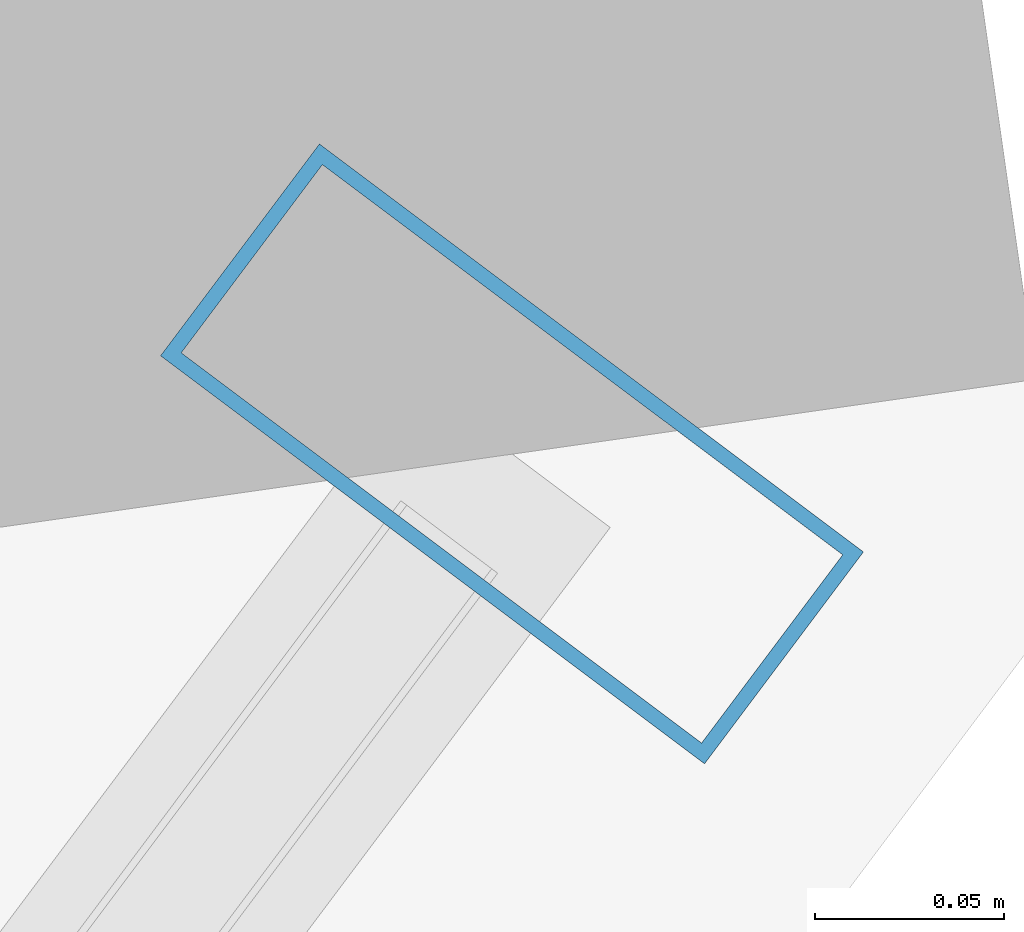
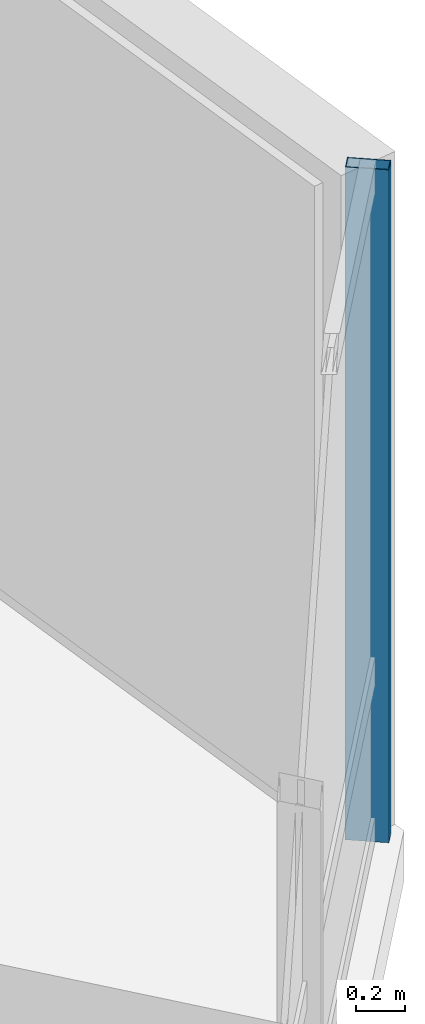
# One storey, part 16 of 27: 1 member, 1 element without a shape of its own.
"""IFC4 building model written with IfcOpenShell, lengths in metres."""

from ifc_helpers import new_model, si_unit, direction, frame, origin, origin_2d, place, context, subcontext, project, spatial, hollow_rectangle, extrude, material, layer, layer_set, material_profile, profile_set, type_object, element, aggregate, save


model = new_model("IFC4")

# Units and contexts
model_context = context("Model", 3, precision=1e-05, world=origin(), true_north=direction((0.0, 1.0)))
body_context = subcontext(model_context, "Body", "Model", "MODEL_VIEW")
ifc_project = project(units=[si_unit("LENGTHUNIT", "METRE"), si_unit("AREAUNIT", "SQUARE_METRE"), si_unit("VOLUMEUNIT", "CUBIC_METRE"), si_unit("PLANEANGLEUNIT", "RADIAN"), si_unit("MASSUNIT", "GRAM", prefix="KILO")], contexts=[model_context])

# Site, building, storey
site_placement = place(None, origin())
site = spatial("IfcSite", under=ifc_project, at=site_placement, CompositionType="ELEMENT")
building_placement = place(site_placement, origin())
building = spatial("IfcBuilding", under=site, at=building_placement, Name="Hatsunagi Terrace Concourse", CompositionType="ELEMENT")
storey_placement = place(building_placement, frame((0.0, 0.0, 145.64990234375)))
storey = spatial("IfcBuildingStorey", under=building, at=storey_placement, Name="L38", CompositionType="ELEMENT", Elevation=145.64990234375)

# Curtain wall, member
ifc_material_1 = material(Name="Anodised Aluminium Alloy 6063-T5", Category="aluminium")
ifc_layer = layer(ifc_material_1, 0.199951171875)
ifc_layer_set = layer_set([ifc_layer], Name="OfficeZone1_CW03")
curtain_wall_type = type_object("IfcCurtainWallType", Name="OfficeZone1_CW03", PredefinedType="NOTDEFINED", material=ifc_layer_set)
curtain_wall_placement = place(storey_placement, origin())
curtain_wall = element("IfcCurtainWall", 1, at=curtain_wall_placement, inside=storey, type_object=curtain_wall_type, Name="Unitised Curtain Wall CW-03 CW-L38-03", PredefinedType="NOTDEFINED")
ifc_material_2 = material(Name="Anodised Aluminium Alloy 6063-T5", Category="aluminium")
ifc_material_profile = material_profile(ifc_material_2, hollow_rectangle(XDim=0.070068359375, YDim=0.179931640625, WallThickness=0.00390625, at=origin_2d()), Name="ALU-MUL-180x70x4")
ifc_profile_set = profile_set([ifc_material_profile], Name="Anodised Aluminium Alloy 6063-T5")
member_type = type_object("IfcMemberType", Name="CurtainWallMullion_180x70", PredefinedType="MULLION", material=ifc_profile_set)
member_placement = place(storey_placement, frame((60.693115234375, 25.9580078125, 0.0), z_axis=(0.0, 0.0, 1.0), x_axis=(-0.599969314634, -0.800023013105, 0.0)))
member = element("IfcMember", 2, at=member_placement, type_object=member_type, Name="Curtain Wall Mullion MUL-02", PredefinedType="MULLION", context=body_context, shape_type="SweptSolid", body=[
    extrude(hollow_rectangle(XDim=0.070068359375, YDim=0.179931640625, WallThickness=0.00390625, at=origin_2d()), origin(), (0.0, 0.0, 1.0), 3.35009765625),
])
aggregate(curtain_wall, [member])

save(model, "model.ifc")
